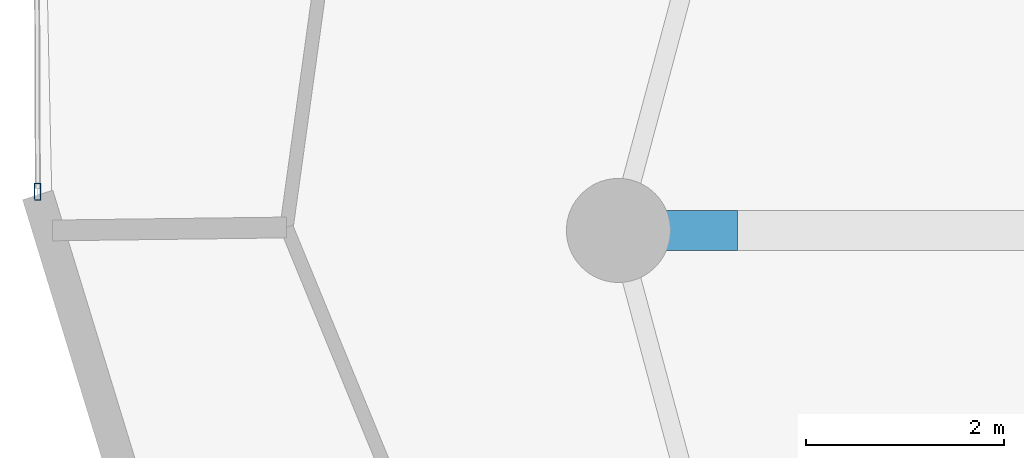
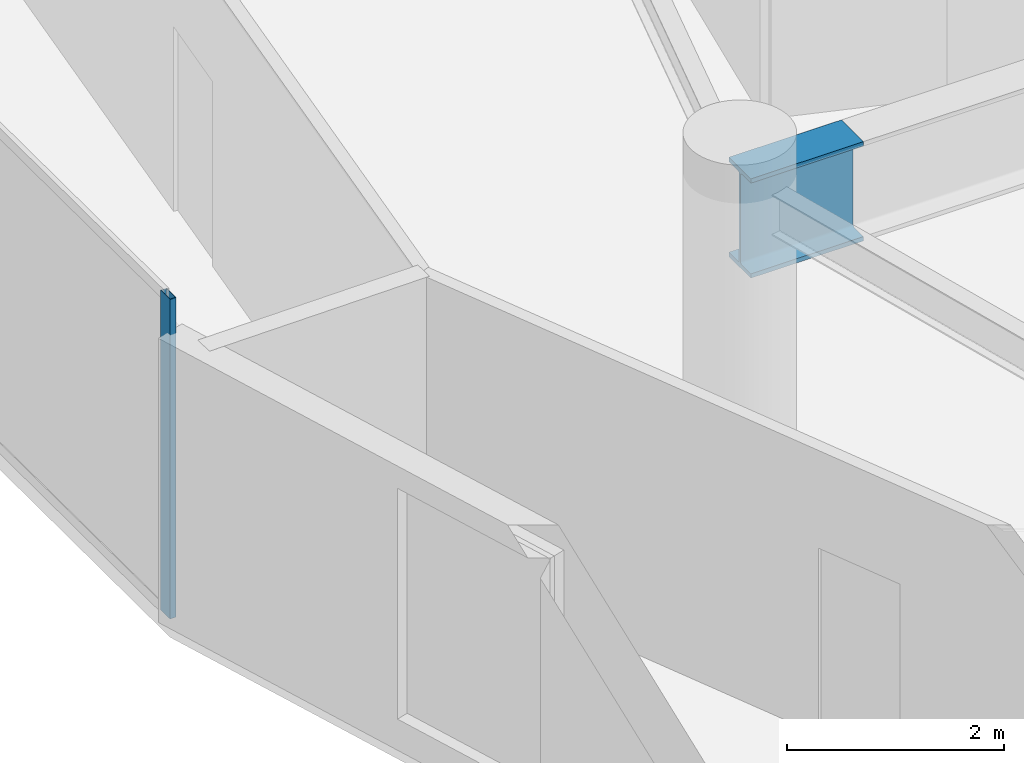
# One storey, part 5 of 22: 1 beam, 1 member, 1 element without a shape of its own.
"""IFC4 building model written with IfcOpenShell, lengths in metres."""

from ifc_helpers import new_model, si_unit, direction, frame, origin, origin_2d, place, context, subcontext, project, spatial, hollow_rectangle, i_section, extrude, source, transform, mapped, material, layer, layer_set, material_profile, profile_set, type_object, element, aggregate, save


model = new_model("IFC4")

# Units and contexts
model_context = context("Model", 3, precision=1e-05, world=origin(), true_north=direction((0.0, 1.0)))
body_context = subcontext(model_context, "Body", "Model", "MODEL_VIEW")
ifc_project = project(units=[si_unit("LENGTHUNIT", "METRE"), si_unit("AREAUNIT", "SQUARE_METRE"), si_unit("VOLUMEUNIT", "CUBIC_METRE"), si_unit("PLANEANGLEUNIT", "RADIAN"), si_unit("MASSUNIT", "GRAM", prefix="KILO")], contexts=[model_context])

# Site, building, storey
site_placement = place(None, origin())
site = spatial("IfcSite", under=ifc_project, at=site_placement, CompositionType="ELEMENT")
building_placement = place(site_placement, origin())
building = spatial("IfcBuilding", under=site, at=building_placement, Name="Solvirekh Grand Hotel", CompositionType="ELEMENT")
storey_placement = place(building_placement, frame((0.0, 0.0, 160.199951171875)))
storey = spatial("IfcBuildingStorey", under=building, at=storey_placement, Name="L41", CompositionType="ELEMENT", Elevation=160.199951171875)

# Beam
ifc_material_1 = material(Name="Steel S460", Category="steel")
ifc_material_profile_1 = material_profile(ifc_material_1, i_section(OverallWidth=0.405029296875, OverallDepth=1.117919921875, WebThickness=0.02587890625, FlangeThickness=0.048095703125, FilletRadius=0.02392578125, at=origin_2d()), Name="W1100X499")
ifc_profile_set_1 = profile_set([ifc_material_profile_1], Name="Steel S460")
beam_type = type_object("IfcBeamType", Name="TransferGirder_W1100", PredefinedType="USERDEFINED", material=ifc_profile_set_1)
beam_placement = place(storey_placement, frame((-15.800048828125, 0.0, 2.64111328125), z_axis=(-1.0, 0.0, 0.0), x_axis=(0.0, -1.0, 0.0)))
element("IfcBeam", 1, at=beam_placement, inside=storey, type_object=beam_type, Name="L41 outer radial transfer girder 7B", ObjectType="TRANSFER GIRDER", PredefinedType="USERDEFINED", context=body_context, shape_type="SweptSolid", body=[
    extrude(i_section(OverallWidth=0.405029296875, OverallDepth=1.117919921875, WebThickness=0.02587890625, FlangeThickness=0.048095703125, FilletRadius=0.02392578125, at=origin_2d()), origin(), (0.0, 0.0, 1.0), 1.199951171875),
])

# Curtain wall, member
ifc_material_2 = material(Name="Anodized Bronze Aluminium 6063-T6", Category="aluminium")
ifc_layer = layer(ifc_material_2, 0.175048828125)
ifc_layer_set = layer_set([ifc_layer], Name="Anodized Bronze Aluminium 6063-T6")
curtain_wall_type = type_object("IfcCurtainWallType", Name="CW_Sys3_MidZoneFlushBronzeCW", PredefinedType="NOTDEFINED", material=ifc_layer_set)
curtain_wall_placement = place(storey_placement, origin())
curtain_wall = element("IfcCurtainWall", 2, at=curtain_wall_placement, inside=storey, type_object=curtain_wall_type, Name="L41 unitised bronze-glass curtain wall CW-L41-C13", PredefinedType="NOTDEFINED")
ifc_material_profile_2 = material_profile(ifc_material_2, hollow_rectangle(XDim=0.06494140625, YDim=0.175048828125, WallThickness=0.0048828125, at=origin_2d()), Name="ALU RHS 175X65X5")
ifc_profile_set_2 = profile_set([ifc_material_profile_2], Name="Anodized Bronze Aluminium 6063-T6")
member_type = type_object("IfcMemberType", Name="CWMullion_Sys3", PredefinedType="MULLION", material=ifc_profile_set_2)
shared_shape = source(origin(), body_context, "Body", "SweptSolid", [
    extrude(hollow_rectangle(XDim=0.06494140625, YDim=0.175048828125, WallThickness=0.0048828125, at=origin_2d()), origin(), (0.0, 0.0, 1.0), 3.60009765625),
])
member_placement = place(storey_placement, frame((-22.862060546875, 0.390380859375, 0.0), z_axis=(0.0, 0.0, 1.0), x_axis=(0.999992540009, 0.003862632127, 0.0)))
member = element("IfcMember", 3, at=member_placement, type_object=member_type, Name="U03 mullion 3", PredefinedType="MULLION", context=body_context, shape_type="MappedRepresentation", body=[
    mapped(shared_shape, transform((0.0, 0.0, 0.0), x_axis=(1.0, 0.0, 0.0), y_axis=(0.0, 1.0, 0.0), z_axis=(0.0, 0.0, 1.0), scale=1.0)),
])
aggregate(curtain_wall, [member])

save(model, "model.ifc")
